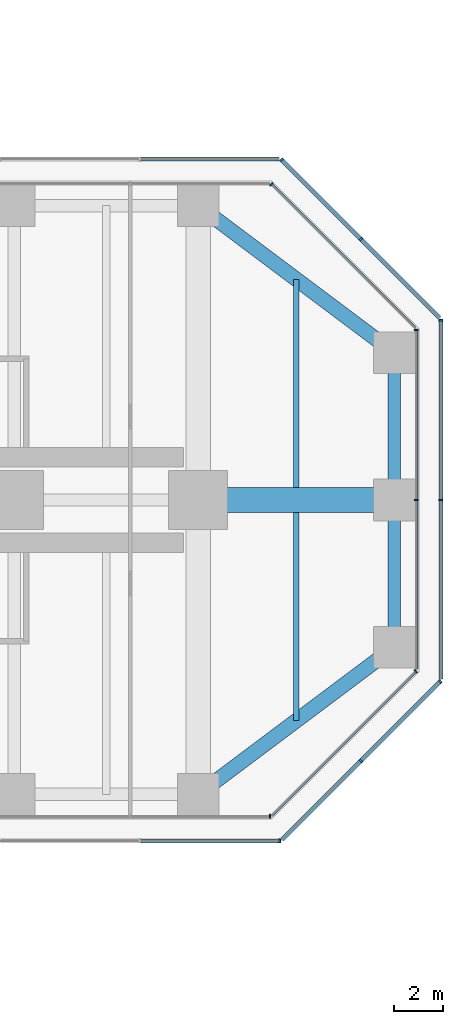
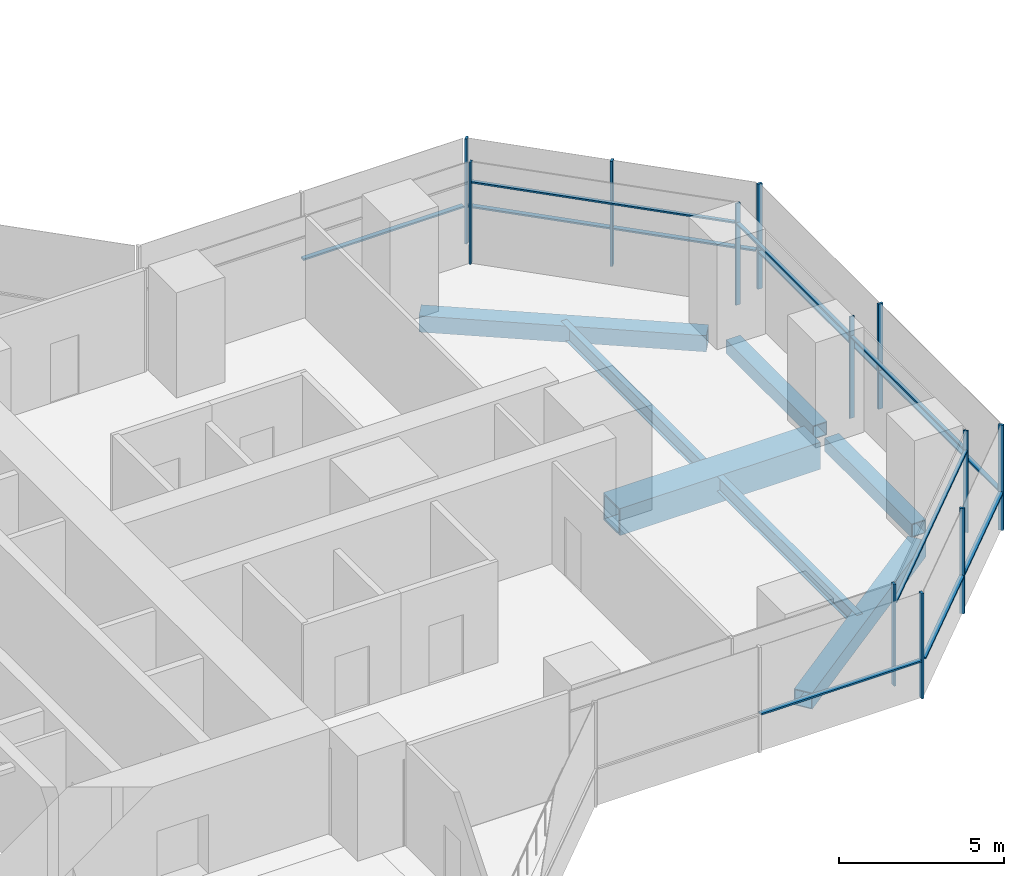
# One storey, part 12 of 22: 24 members, 7 beams, 9 elements without a shape of their own.
"""IFC4 building model written with IfcOpenShell, lengths in metres."""

from ifc_helpers import new_model, si_unit, direction, frame, origin, origin_2d, place, context, subcontext, project, spatial, rectangle, hollow_rectangle, i_section, extrude, material, material_profile, profile_set, type_object, element, aggregate, save


model = new_model("IFC4")

# Units and contexts
model_context = context("Model", 3, precision=1e-05, world=origin(), true_north=direction((0.0, 1.0)))
body_context = subcontext(model_context, "Body", "Model", "MODEL_VIEW")
ifc_project = project(units=[si_unit("LENGTHUNIT", "METRE"), si_unit("AREAUNIT", "SQUARE_METRE"), si_unit("VOLUMEUNIT", "CUBIC_METRE"), si_unit("PLANEANGLEUNIT", "RADIAN"), si_unit("MASSUNIT", "GRAM", prefix="KILO")], contexts=[model_context])

# Site, building, storey
site_placement = place(None, origin())
site = spatial("IfcSite", under=ifc_project, at=site_placement, CompositionType="ELEMENT")
building_placement = place(site_placement, origin())
building = spatial("IfcBuilding", under=site, at=building_placement, Name="Mizan Broadcast Tower", CompositionType="ELEMENT")
storey_placement = place(building_placement, frame((0.0, 0.0, 59.10009765625)))
storey = spatial("IfcBuildingStorey", under=building, at=storey_placement, Name="L11", CompositionType="ELEMENT", Elevation=59.10009765625)

# Beams
ifc_material_1 = material(Name="Steel S355", Category="steel")
ifc_material_profile_1 = material_profile(ifc_material_1, hollow_rectangle(XDim=0.5, YDim=0.5, WallThickness=0.030029296875, at=origin_2d()), Name="BOX 500x500x30")
ifc_profile_set_1 = profile_set([ifc_material_profile_1], Name="Steel S355")
beam_type_1 = type_object("IfcBeamType", Name="EDGE BEAM BOX 500x500x30", PredefinedType="SPANDREL", material=ifc_profile_set_1)
for number, where, z_axis, x_axis, name in (
    (1, (35.0, -5.639892578125, -0.380126953125), (0.0, 1.0, 0.0), (-1.0, 0.0, 0.0), "Edge beam BOX 500x500x30 L11 east arm"),
    (2, (35.0, 5.639892578125, -0.380126953125), (0.0, -1.0, 0.0), (1.0, 0.0, 0.0), "Edge beam BOX 500x500x30 L11 east arm"),
):
    element("IfcBeam", number, at=place(storey_placement, frame(where, z_axis=z_axis, x_axis=x_axis)), inside=storey, type_object=beam_type_1, Name=name, PredefinedType="SPANDREL", context=body_context, shape_type="SweptSolid", body=[
        extrude(hollow_rectangle(XDim=0.5, YDim=0.5, WallThickness=0.030029296875, at=origin_2d()), origin(), (0.0, 0.0, 1.0), 5.27978515625),
    ])
ifc_material_2 = material(Name="Steel S355", Category="steel")
ifc_material_profile_2 = material_profile(ifc_material_2, hollow_rectangle(XDim=0.60009765625, YDim=0.60009765625, WallThickness=0.030029296875, at=origin_2d()), Name="BOX 600x600x30")
ifc_profile_set_2 = profile_set([ifc_material_profile_2], Name="Steel S355")
beam_type_2 = type_object("IfcBeamType", Name="EDGE BEAM BOX 600x600x30", PredefinedType="SPANDREL", material=ifc_profile_set_2)
for number, where, z_axis, x_axis, name in (
    (3, (27.47998046875, -11.639892578125, -0.43017578125), (0.800013316712, 0.599982243973, 0.0), (-0.599982243973, 0.800013316712, 0.0), "Edge beam BOX 600x600x30 L11 east arm"),
    (4, (27.47998046875, 11.639892578125, -0.43017578125), (0.800013316712, -0.599982243973, 0.0), (0.599982243973, 0.800013316712, 0.0), "Edge beam BOX 600x600x30 L11 east arm"),
):
    element("IfcBeam", number, at=place(storey_placement, frame(where, z_axis=z_axis, x_axis=x_axis)), inside=storey, type_object=beam_type_2, Name=name, PredefinedType="SPANDREL", context=body_context, shape_type="SweptSolid", body=[
        extrude(hollow_rectangle(XDim=0.60009765625, YDim=0.60009765625, WallThickness=0.030029296875, at=origin_2d()), origin(), (0.0, 0.0, 1.0), 8.7998046875),
    ])
ifc_material_3 = material(Name="Steel S460", Category="steel")
ifc_material_profile_3 = material_profile(ifc_material_3, hollow_rectangle(XDim=1.0, YDim=1.0, WallThickness=0.06005859375, at=origin_2d()), Name="BOX 1000x1000x60")
ifc_profile_set_3 = profile_set([ifc_material_profile_3], Name="Steel S460")
beam_type_3 = type_object("IfcBeamType", Name="GIRDER BOX 1000x1000x60", PredefinedType="BEAM", material=ifc_profile_set_3)
beam_placement = place(storey_placement, frame((27.47998046875, 0.0, -0.630126953125), z_axis=(1.0, 0.0, 0.0), x_axis=(0.0, 1.0, 0.0)))
element("IfcBeam", 5, at=beam_placement, inside=storey, type_object=beam_type_3, Name="Girder BOX 1000x1000x60 L11 east arm", PredefinedType="BEAM", context=body_context, shape_type="SweptSolid", body=[
    extrude(hollow_rectangle(XDim=1.0, YDim=1.0, WallThickness=0.06005859375, at=origin_2d()), origin(), (0.0, 0.0, 1.0), 7.0400390625),
])

# Curtain wall, member
ifc_material_4 = material(Name="Aluminium framed glazing", Category="aluminium")
curtain_wall_type_1 = type_object("IfcCurtainWallType", Name="INNER SKIN LOW ZONE", PredefinedType="USERDEFINED", material=ifc_material_4)
curtain_wall_1_placement = place(storey_placement, origin())
curtain_wall_1 = element("IfcCurtainWall", 6, at=curtain_wall_1_placement, inside=storey, type_object=curtain_wall_type_1, Name="Inner skin low zone L11 E side", ObjectType="INNER SKIN LOW ZONE", PredefinedType="USERDEFINED")
ifc_material_5 = material(Name="Aluminium, pale anodised", Category="aluminium")
ifc_material_profile_4 = material_profile(ifc_material_5, rectangle(XDim=0.159912109375, YDim=0.06005859375, at=origin_2d()), Name="MULLION 160x60")
ifc_profile_set_4 = profile_set([ifc_material_profile_4], Name="Aluminium, pale anodised")
member_type_1 = type_object("IfcMemberType", Name="INNER SKIN MULLION 60x160", PredefinedType="MULLION", material=ifc_profile_set_4)
member_1_placement = place(storey_placement, frame((29.928466796875, -12.89990234375, 0.0), z_axis=(0.0, 0.0, 1.0), x_axis=(0.0, 1.0, 0.0)))
member_1 = element("IfcMember", 7, at=member_1_placement, type_object=member_type_1, Name="Inner skin low zone L11 E side mullion 3", PredefinedType="MULLION", context=body_context, shape_type="SweptSolid", body=[
    extrude(rectangle(XDim=0.159912109375, YDim=0.06005859375, at=origin_2d()), origin(), (0.0, 0.0, 1.0), 3.77001953125),
])
aggregate(curtain_wall_1, [member_1])

curtain_wall_2_placement = place(storey_placement, origin())
curtain_wall_2 = element("IfcCurtainWall", 8, at=curtain_wall_2_placement, inside=storey, type_object=curtain_wall_type_1, Name="Inner skin low zone L11 E chamfer", ObjectType="INNER SKIN LOW ZONE", PredefinedType="USERDEFINED")
member_2_placement = place(storey_placement, frame((35.87890625, -6.979736328125, 0.0), z_axis=(0.0, 0.0, 1.0), x_axis=(-0.707106781187, 0.707106781187, 0.0)))
member_2 = element("IfcMember", 9, at=member_2_placement, type_object=member_type_1, Name="Inner skin low zone L11 E chamfer mullion 2", PredefinedType="MULLION", context=body_context, shape_type="SweptSolid", body=[
    extrude(rectangle(XDim=0.159912109375, YDim=0.06005859375, at=origin_2d()), origin(), (0.0, 0.0, 1.0), 3.77001953125),
])

# Curtain wall, members
curtain_wall_3_placement = place(storey_placement, origin())
curtain_wall_3 = element("IfcCurtainWall", 10, at=curtain_wall_3_placement, inside=storey, type_object=curtain_wall_type_1, Name="Inner skin low zone L11 E end", ObjectType="INNER SKIN LOW ZONE", PredefinedType="USERDEFINED")
member_3_placement = place(storey_placement, frame((35.89990234375, 0.0, 0.0), z_axis=(0.0, 0.0, 1.0), x_axis=(-1.0, 0.0, 0.0)))
member_3 = element("IfcMember", 11, at=member_3_placement, type_object=member_type_1, Name="Inner skin low zone L11 E end mullion 2", PredefinedType="MULLION", context=body_context, shape_type="SweptSolid", body=[
    extrude(rectangle(XDim=0.159912109375, YDim=0.06005859375, at=origin_2d()), origin(), (0.0, 0.0, 1.0), 3.77001953125),
])
member_4_placement = place(storey_placement, frame((35.89990234375, 6.928466796875, 0.0), z_axis=(0.0, 0.0, 1.0), x_axis=(-1.0, 0.0, 0.0)))
member_4 = element("IfcMember", 12, at=member_4_placement, type_object=member_type_1, Name="Inner skin low zone L11 E end mullion 3", PredefinedType="MULLION", context=body_context, shape_type="SweptSolid", body=[
    extrude(rectangle(XDim=0.159912109375, YDim=0.06005859375, at=origin_2d()), origin(), (0.0, 0.0, 1.0), 3.77001953125),
])

# Curtain wall, member
curtain_wall_4_placement = place(storey_placement, origin())
curtain_wall_4 = element("IfcCurtainWall", 13, at=curtain_wall_4_placement, inside=storey, type_object=curtain_wall_type_1, Name="Inner skin low zone L11 E chamfer", ObjectType="INNER SKIN LOW ZONE", PredefinedType="USERDEFINED")
member_5_placement = place(storey_placement, frame((29.979736328125, 12.87890625, 0.0), z_axis=(0.0, 0.0, 1.0), x_axis=(-0.707106781187, -0.707106781187, 0.0)))
member_5 = element("IfcMember", 14, at=member_5_placement, type_object=member_type_1, Name="Inner skin low zone L11 E chamfer mullion 2", PredefinedType="MULLION", context=body_context, shape_type="SweptSolid", body=[
    extrude(rectangle(XDim=0.159912109375, YDim=0.06005859375, at=origin_2d()), origin(), (0.0, 0.0, 1.0), 3.77001953125),
])

# Member
ifc_material_6 = material(Name="Aluminium, pale anodised", Category="aluminium")
ifc_material_profile_5 = material_profile(ifc_material_6, rectangle(XDim=0.1201171875, YDim=0.06005859375, at=origin_2d()), Name="TRANSOM 120x60")
ifc_profile_set_5 = profile_set([ifc_material_profile_5], Name="Aluminium, pale anodised")
member_type_2 = type_object("IfcMemberType", Name="INNER SKIN TRANSOM 60x120", PredefinedType="USERDEFINED", material=ifc_profile_set_5)
member_6_placement = place(storey_placement, frame((30.0009765625, -12.857666015625, 3.02978515625), z_axis=(0.707106781187, 0.707106781187, 0.0), x_axis=(-0.707106781187, 0.707106781187, 0.0)))
member_6 = element("IfcMember", 15, at=member_6_placement, type_object=member_type_2, Name="Inner skin low zone L11 E chamfer transom 1.1", ObjectType="TRANSOM", PredefinedType="USERDEFINED", context=body_context, shape_type="SweptSolid", body=[
    extrude(rectangle(XDim=0.1201171875, YDim=0.06005859375, at=origin_2d()), origin(), (0.0, 0.0, 1.0), 8.28271484375),
])

aggregate(curtain_wall_2, [member_2, member_6])

member_7_placement = place(storey_placement, frame((35.89990234375, -6.898681640625, 3.02978515625), z_axis=(0.0, 1.0, 0.0), x_axis=(-1.0, 0.0, 0.0)))
member_7 = element("IfcMember", 16, at=member_7_placement, type_object=member_type_2, Name="Inner skin low zone L11 E end transom 1.1", ObjectType="TRANSOM", PredefinedType="USERDEFINED", context=body_context, shape_type="SweptSolid", body=[
    extrude(rectangle(XDim=0.1201171875, YDim=0.06005859375, at=origin_2d()), origin(), (0.0, 0.0, 1.0), 6.86865234375),
])

member_8_placement = place(storey_placement, frame((35.89990234375, 0.030029296875, 3.02978515625), z_axis=(0.0, 1.0, 0.0), x_axis=(-1.0, 0.0, 0.0)))
member_8 = element("IfcMember", 17, at=member_8_placement, type_object=member_type_2, Name="Inner skin low zone L11 E end transom 2.1", ObjectType="TRANSOM", PredefinedType="USERDEFINED", context=body_context, shape_type="SweptSolid", body=[
    extrude(rectangle(XDim=0.1201171875, YDim=0.06005859375, at=origin_2d()), origin(), (0.0, 0.0, 1.0), 6.86865234375),
])

aggregate(curtain_wall_3, [member_3, member_4, member_7, member_8])

member_9_placement = place(storey_placement, frame((35.857666015625, 7.0009765625, 3.02978515625), z_axis=(-0.707106781187, 0.707106781187, 0.0), x_axis=(-0.707106781187, -0.707106781187, 0.0)))
member_9 = element("IfcMember", 18, at=member_9_placement, type_object=member_type_2, Name="Inner skin low zone L11 E chamfer transom 1.1", ObjectType="TRANSOM", PredefinedType="USERDEFINED", context=body_context, shape_type="SweptSolid", body=[
    extrude(rectangle(XDim=0.1201171875, YDim=0.06005859375, at=origin_2d()), origin(), (0.0, 0.0, 1.0), 8.28271484375),
])

aggregate(curtain_wall_4, [member_5, member_9])

# Curtain wall, members
ifc_material_7 = material(Name="Aluminium framed glazing", Category="aluminium")
curtain_wall_type_2 = type_object("IfcCurtainWallType", Name="OUTER SKIN", PredefinedType="USERDEFINED", material=ifc_material_7)
curtain_wall_5_placement = place(storey_placement, origin())
curtain_wall_5 = element("IfcCurtainWall", 19, at=curtain_wall_5_placement, inside=storey, type_object=curtain_wall_type_2, Name="Outer skin L11 E chamfer", ObjectType="OUTER SKIN", PredefinedType="USERDEFINED")
ifc_material_8 = material(Name="Aluminium, pale anodised", Category="aluminium")
ifc_material_profile_6 = material_profile(ifc_material_8, rectangle(XDim=0.159912109375, YDim=0.080078125, at=origin_2d()), Name="MULLION 160x80")
ifc_profile_set_6 = profile_set([ifc_material_profile_6], Name="Aluminium, pale anodised")
member_type_3 = type_object("IfcMemberType", Name="OUTER SKIN MULLION 80x160", PredefinedType="MULLION", material=ifc_profile_set_6)
member_10_placement = place(storey_placement, frame((33.636474609375, -10.636474609375, 0.0), z_axis=(0.0, 0.0, 1.0), x_axis=(-0.707106781187, 0.707106781187, 0.0)))
member_10 = element("IfcMember", 20, at=member_10_placement, type_object=member_type_3, Name="Outer skin L11 E chamfer mullion 2", PredefinedType="MULLION", context=body_context, shape_type="SweptSolid", body=[
    extrude(rectangle(XDim=0.159912109375, YDim=0.080078125, at=origin_2d()), origin(), (0.0, 0.0, 1.0), 3.89990234375),
])
member_11_placement = place(storey_placement, frame((36.871826171875, -7.401123046875, 0.0), z_axis=(0.0, 0.0, 1.0), x_axis=(-0.707106781187, 0.707106781187, 0.0)))
member_11 = element("IfcMember", 21, at=member_11_placement, type_object=member_type_3, Name="Outer skin L11 E chamfer mullion 3", PredefinedType="MULLION", context=body_context, shape_type="SweptSolid", body=[
    extrude(rectangle(XDim=0.159912109375, YDim=0.080078125, at=origin_2d()), origin(), (0.0, 0.0, 1.0), 3.89990234375),
])

curtain_wall_6_placement = place(storey_placement, origin())
curtain_wall_6 = element("IfcCurtainWall", 22, at=curtain_wall_6_placement, inside=storey, type_object=curtain_wall_type_2, Name="Outer skin L11 E end", ObjectType="OUTER SKIN", PredefinedType="USERDEFINED")
member_12_placement = place(storey_placement, frame((36.89990234375, 0.0, 0.0), z_axis=(0.0, 0.0, 1.0), x_axis=(-1.0, 0.0, 0.0)))
member_12 = element("IfcMember", 23, at=member_12_placement, type_object=member_type_3, Name="Outer skin L11 E end mullion 2", PredefinedType="MULLION", context=body_context, shape_type="SweptSolid", body=[
    extrude(rectangle(XDim=0.159912109375, YDim=0.080078125, at=origin_2d()), origin(), (0.0, 0.0, 1.0), 3.89990234375),
])
member_13_placement = place(storey_placement, frame((36.89990234375, 7.332763671875, 0.0), z_axis=(0.0, 0.0, 1.0), x_axis=(-1.0, 0.0, 0.0)))
member_13 = element("IfcMember", 24, at=member_13_placement, type_object=member_type_3, Name="Outer skin L11 E end mullion 3", PredefinedType="MULLION", context=body_context, shape_type="SweptSolid", body=[
    extrude(rectangle(XDim=0.159912109375, YDim=0.080078125, at=origin_2d()), origin(), (0.0, 0.0, 1.0), 3.89990234375),
])

curtain_wall_7_placement = place(storey_placement, origin())
curtain_wall_7 = element("IfcCurtainWall", 25, at=curtain_wall_7_placement, inside=storey, type_object=curtain_wall_type_2, Name="Outer skin L11 E chamfer", ObjectType="OUTER SKIN", PredefinedType="USERDEFINED")
member_14_placement = place(storey_placement, frame((33.636474609375, 10.636474609375, 0.0), z_axis=(0.0, 0.0, 1.0), x_axis=(-0.707106781187, -0.707106781187, 0.0)))
member_14 = element("IfcMember", 26, at=member_14_placement, type_object=member_type_3, Name="Outer skin L11 E chamfer mullion 2", PredefinedType="MULLION", context=body_context, shape_type="SweptSolid", body=[
    extrude(rectangle(XDim=0.159912109375, YDim=0.080078125, at=origin_2d()), origin(), (0.0, 0.0, 1.0), 3.89990234375),
])
member_15_placement = place(storey_placement, frame((30.401123046875, 13.871826171875, 0.0), z_axis=(0.0, 0.0, 1.0), x_axis=(-0.707106781187, -0.707106781187, 0.0)))
member_15 = element("IfcMember", 27, at=member_15_placement, type_object=member_type_3, Name="Outer skin L11 E chamfer mullion 3", PredefinedType="MULLION", context=body_context, shape_type="SweptSolid", body=[
    extrude(rectangle(XDim=0.159912109375, YDim=0.080078125, at=origin_2d()), origin(), (0.0, 0.0, 1.0), 3.89990234375),
])

# Curtain wall, member
curtain_wall_8_placement = place(storey_placement, origin())
curtain_wall_8 = element("IfcCurtainWall", 28, at=curtain_wall_8_placement, inside=storey, type_object=curtain_wall_type_2, Name="Outer skin L11 E side", ObjectType="OUTER SKIN", PredefinedType="USERDEFINED")
member_16_placement = place(storey_placement, frame((30.332763671875, -13.89990234375, 0.0), z_axis=(0.0, 0.0, 1.0), x_axis=(0.0, 1.0, 0.0)))
member_16 = element("IfcMember", 29, at=member_16_placement, type_object=member_type_3, Name="Outer skin L11 E side mullion 3", PredefinedType="MULLION", context=body_context, shape_type="SweptSolid", body=[
    extrude(rectangle(XDim=0.159912109375, YDim=0.080078125, at=origin_2d()), origin(), (0.0, 0.0, 1.0), 3.89990234375),
])

# Member
ifc_material_9 = material(Name="Aluminium, pale anodised", Category="aluminium")
ifc_material_profile_7 = material_profile(ifc_material_9, rectangle(XDim=0.159912109375, YDim=0.06005859375, at=origin_2d()), Name="TRANSOM 160x60")
ifc_profile_set_7 = profile_set([ifc_material_profile_7], Name="Aluminium, pale anodised")
member_type_4 = type_object("IfcMemberType", Name="OUTER SKIN TRANSOM 60x160", PredefinedType="USERDEFINED", material=ifc_profile_set_7)
member_17_placement = place(storey_placement, frame((30.429443359375, -13.843505859375, 1.39990234375), z_axis=(0.707106781187, 0.707106781187, 0.0), x_axis=(-0.707106781187, 0.707106781187, 0.0)))
member_17 = element("IfcMember", 30, at=member_17_placement, type_object=member_type_4, Name="Outer skin L11 E chamfer transom 1.1", ObjectType="TRANSOM", PredefinedType="USERDEFINED", context=body_context, shape_type="SweptSolid", body=[
    extrude(rectangle(XDim=0.159912109375, YDim=0.06005859375, at=origin_2d()), origin(), (0.0, 0.0, 1.0), 4.495361328125),
])

member_18_placement = place(storey_placement, frame((33.664794921875, -10.608154296875, 1.39990234375), z_axis=(0.707106781187, 0.707106781187, 0.0), x_axis=(-0.707106781187, 0.707106781187, 0.0)))
member_18 = element("IfcMember", 31, at=member_18_placement, type_object=member_type_4, Name="Outer skin L11 E chamfer transom 2.1", ObjectType="TRANSOM", PredefinedType="USERDEFINED", context=body_context, shape_type="SweptSolid", body=[
    extrude(rectangle(XDim=0.159912109375, YDim=0.06005859375, at=origin_2d()), origin(), (0.0, 0.0, 1.0), 4.495361328125),
])

aggregate(curtain_wall_5, [member_10, member_11, member_17, member_18])

member_19_placement = place(storey_placement, frame((36.89990234375, -7.292724609375, 1.39990234375), z_axis=(0.0, 1.0, 0.0), x_axis=(-1.0, 0.0, 0.0)))
member_19 = element("IfcMember", 32, at=member_19_placement, type_object=member_type_4, Name="Outer skin L11 E end transom 1.1", ObjectType="TRANSOM", PredefinedType="USERDEFINED", context=body_context, shape_type="SweptSolid", body=[
    extrude(rectangle(XDim=0.159912109375, YDim=0.06005859375, at=origin_2d()), origin(), (0.0, 0.0, 1.0), 7.252685546875),
])

member_20_placement = place(storey_placement, frame((36.89990234375, 0.0400390625, 1.39990234375), z_axis=(0.0, 1.0, 0.0), x_axis=(-1.0, 0.0, 0.0)))
member_20 = element("IfcMember", 33, at=member_20_placement, type_object=member_type_4, Name="Outer skin L11 E end transom 2.1", ObjectType="TRANSOM", PredefinedType="USERDEFINED", context=body_context, shape_type="SweptSolid", body=[
    extrude(rectangle(XDim=0.159912109375, YDim=0.06005859375, at=origin_2d()), origin(), (0.0, 0.0, 1.0), 7.252685546875),
])

aggregate(curtain_wall_6, [member_12, member_13, member_19, member_20])

member_21_placement = place(storey_placement, frame((36.843505859375, 7.429443359375, 1.39990234375), z_axis=(-0.707106781187, 0.707106781187, 0.0), x_axis=(-0.707106781187, -0.707106781187, 0.0)))
member_21 = element("IfcMember", 34, at=member_21_placement, type_object=member_type_4, Name="Outer skin L11 E chamfer transom 1.1", ObjectType="TRANSOM", PredefinedType="USERDEFINED", context=body_context, shape_type="SweptSolid", body=[
    extrude(rectangle(XDim=0.159912109375, YDim=0.06005859375, at=origin_2d()), origin(), (0.0, 0.0, 1.0), 4.495361328125),
])

member_22_placement = place(storey_placement, frame((33.608154296875, 10.664794921875, 1.39990234375), z_axis=(-0.707106781187, 0.707106781187, 0.0), x_axis=(-0.707106781187, -0.707106781187, 0.0)))
member_22 = element("IfcMember", 35, at=member_22_placement, type_object=member_type_4, Name="Outer skin L11 E chamfer transom 2.1", ObjectType="TRANSOM", PredefinedType="USERDEFINED", context=body_context, shape_type="SweptSolid", body=[
    extrude(rectangle(XDim=0.159912109375, YDim=0.06005859375, at=origin_2d()), origin(), (0.0, 0.0, 1.0), 4.495361328125),
])

aggregate(curtain_wall_7, [member_14, member_15, member_21, member_22])

# Curtain wall, member
curtain_wall_9_placement = place(storey_placement, origin())
curtain_wall_9 = element("IfcCurtainWall", 36, at=curtain_wall_9_placement, inside=storey, type_object=curtain_wall_type_2, Name="Outer skin L11 E side", ObjectType="OUTER SKIN", PredefinedType="USERDEFINED")
member_23_placement = place(storey_placement, frame((30.292724609375, 13.89990234375, 1.39990234375), z_axis=(-1.0, 0.0, 0.0), x_axis=(0.0, -1.0, 0.0)))
member_23 = element("IfcMember", 37, at=member_23_placement, type_object=member_type_4, Name="Outer skin L11 E side transom 1.1", ObjectType="TRANSOM", PredefinedType="USERDEFINED", context=body_context, shape_type="SweptSolid", body=[
    extrude(rectangle(XDim=0.159912109375, YDim=0.06005859375, at=origin_2d()), origin(), (0.0, 0.0, 1.0), 5.6298828125),
])
aggregate(curtain_wall_9, [member_23])

# Member
member_24_placement = place(storey_placement, frame((24.662841796875, -13.89990234375, 1.39990234375), z_axis=(1.0, 0.0, 0.0), x_axis=(0.0, 1.0, 0.0)))
member_24 = element("IfcMember", 38, at=member_24_placement, type_object=member_type_4, Name="Outer skin L11 E side transom 2.1", ObjectType="TRANSOM", PredefinedType="USERDEFINED", context=body_context, shape_type="SweptSolid", body=[
    extrude(rectangle(XDim=0.159912109375, YDim=0.06005859375, at=origin_2d()), origin(), (0.0, 0.0, 1.0), 5.6298828125),
])

aggregate(curtain_wall_8, [member_16, member_24])

# Beams
ifc_material_10 = material(Name="Steel S355", Category="steel")
ifc_material_profile_8 = material_profile(ifc_material_10, i_section(OverallWidth=0.2099609375, OverallDepth=0.550048828125, WebThickness=0.010986328125, FlangeThickness=0.01708984375, FilletRadius=0.02392578125, at=origin_2d()), Name="IPE 550")
ifc_profile_set_8 = profile_set([ifc_material_profile_8], Name="Steel S355")
beam_type_4 = type_object("IfcBeamType", Name="SECONDARY BEAM IPE 550", PredefinedType="JOIST", material=ifc_profile_set_8)
for number, where, z_axis, x_axis, name in (
    (39, (31.0, -9.0, -0.405029296875), (0.0, 1.0, 0.0), (-1.0, 0.0, 0.0), "Secondary beam IPE 550 L11 east arm"),
    (40, (31.0, 9.0, -0.405029296875), (0.0, -1.0, 0.0), (1.0, 0.0, 0.0), "Secondary beam IPE 550 L11 east arm"),
):
    element("IfcBeam", number, at=place(storey_placement, frame(where, z_axis=z_axis, x_axis=x_axis)), inside=storey, type_object=beam_type_4, Name=name, PredefinedType="JOIST", context=body_context, shape_type="SweptSolid", body=[
        extrude(i_section(OverallWidth=0.2099609375, OverallDepth=0.550048828125, WebThickness=0.010986328125, FlangeThickness=0.01708984375, FilletRadius=0.02392578125, at=origin_2d()), origin(), (0.0, 0.0, 1.0), 8.5),
    ])

save(model, "model.ifc")
